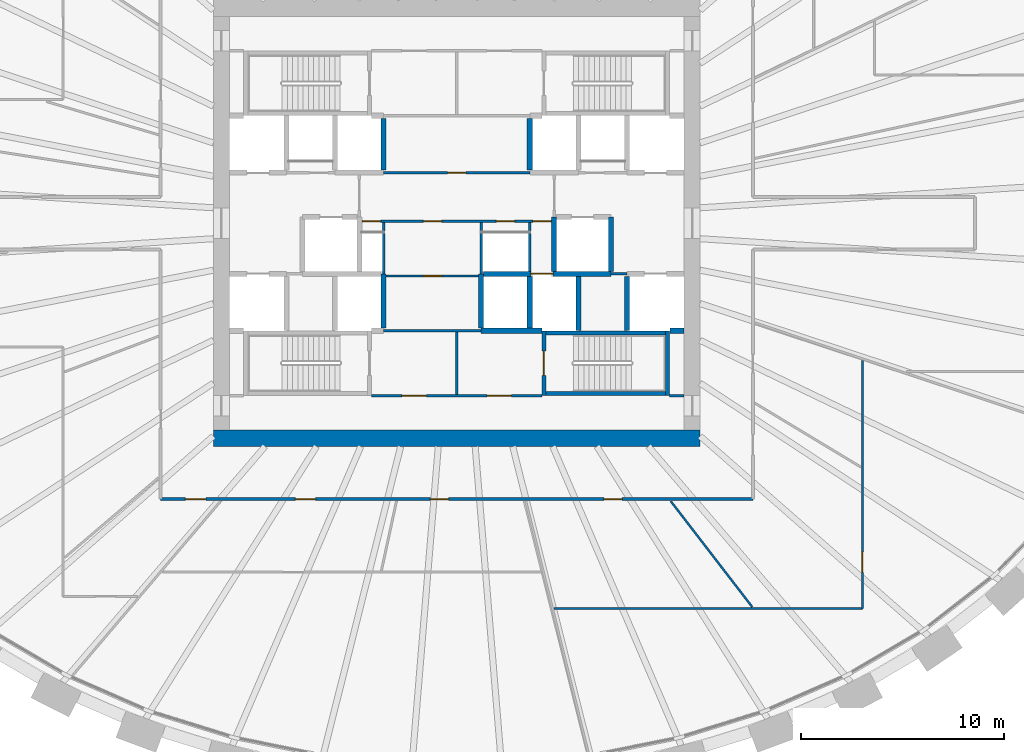
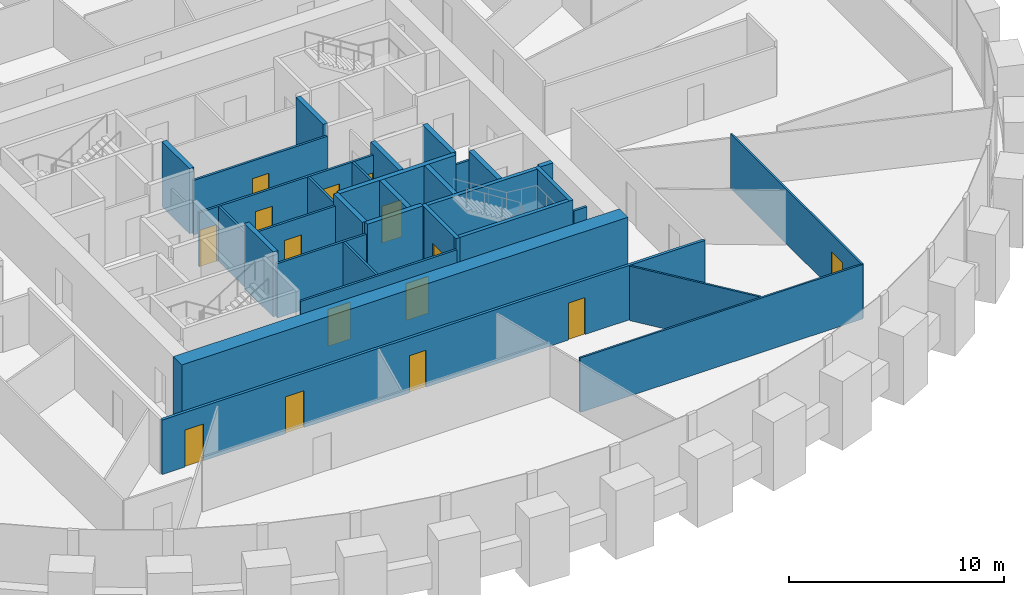
# One storey, part 7 of 11: 32 walls, 15 doors, 15 openings.
"""IFC4 building model written with IfcOpenShell, lengths in metres."""

import ifcopenshell
import ifcopenshell.guid

model = None  # the IFC model being written
_history = None  # IfcOwnerHistory: only IFC2X3 demands one
_inside = {}  # id of a spatial element -> (the spatial element, [elements in it])
_under = {}  # id of a project, library or spatial element -> (it, [spatial elements below it])
_declared = {}  # id of a project -> (the project, [libraries it declares])
_typed = {}  # id of a type object -> (the type object, [elements of that type])
_made_of = {}  # id of a material, layer set ... -> (it, [elements and type objects made of it])


def new_model(schema):
    """Start an empty IFC model of exactly this schema.

    Asked for "IFC4X3", IfcOpenShell would pick the latest addendum, in which some entities
    have other attributes; the version numbers below select the first issue.
    IFC2X3 requires an IfcOwnerHistory on every rooted entity: one is made here for all.
    """
    global model, _history
    if schema == "IFC4X3":
        model = ifcopenshell.file(schema_version=(4, 3, 0, 0))
    else:
        model = ifcopenshell.file(schema=schema)
    _inside.clear()
    _under.clear()
    _declared.clear()
    _typed.clear()
    _made_of.clear()
    _history = None
    if model.schema == "IFC2X3":
        org = make("IfcOrganization", Name="unknown")
        user = make(
            "IfcPersonAndOrganization",
            ThePerson=make("IfcPerson", FamilyName="unknown"),
            TheOrganization=org,
        )
        app = make(
            "IfcApplication",
            ApplicationDeveloper=org,
            Version="unknown",
            ApplicationFullName="unknown",
            ApplicationIdentifier="unknown",
        )
        _history = make(
            "IfcOwnerHistory",
            OwningUser=user,
            OwningApplication=app,
            ChangeAction="ADDED",
            CreationDate=0,
        )
    return model


def make(cls, **values):
    """One entity of the class cls with the attributes given. An attribute that is None is left unset."""
    return model.create_entity(
        cls, **{name: value for name, value in values.items() if value is not None}
    )


def rooted(cls, **values):
    """An entity with a GlobalId (a new one), such as an element, a storey or a relation."""
    return make(cls, GlobalId=ifcopenshell.guid.new(), OwnerHistory=_history, **values)


def si_unit(unit_type, name, prefix=None):
    """IfcSIUnit, for example si_unit("LENGTHUNIT", "METRE", prefix="MILLI")."""
    return make("IfcSIUnit", UnitType=unit_type, Prefix=prefix, Name=name)


def assignment(units):
    """IfcUnitAssignment: the units of a project."""
    return None if units is None else make("IfcUnitAssignment", Units=units)


def point(xyz):
    """IfcCartesianPoint."""
    return None if xyz is None else make("IfcCartesianPoint", Coordinates=xyz)


def direction(xyz):
    """IfcDirection."""
    return None if xyz is None else make("IfcDirection", DirectionRatios=xyz)


def frame(location, z_axis=None, x_axis=None):
    """IfcAxis2Placement3D, a coordinate frame: its origin and axes. An axis left out is left unset."""
    return make(
        "IfcAxis2Placement3D",
        Location=point(location),
        Axis=direction(z_axis),
        RefDirection=direction(x_axis),
    )


def frame_2d(location, x_axis=None):
    """IfcAxis2Placement2D, a coordinate frame in the plane: its origin and x axis."""
    return make(
        "IfcAxis2Placement2D", Location=point(location), RefDirection=direction(x_axis)
    )


def origin():
    """The frame at (0, 0, 0) with its axes left unset."""
    return frame((0.0, 0.0, 0.0))


def place(relative_to, where):
    """IfcLocalPlacement: puts the frame where relative to a parent placement (None: the world)."""
    return make(
        "IfcLocalPlacement", PlacementRelTo=relative_to, RelativePlacement=where
    )


def context(
    kind, dimensions, precision=None, world=None, true_north=None, identifier=None
):
    """IfcGeometricRepresentationContext, for example the 3D "Model" context."""
    return make(
        "IfcGeometricRepresentationContext",
        ContextIdentifier=identifier,
        ContextType=kind,
        CoordinateSpaceDimension=dimensions,
        Precision=precision,
        WorldCoordinateSystem=world,
        TrueNorth=true_north,
    )


def subcontext(parent, identifier, kind, view, scale=None):
    """IfcGeometricRepresentationSubContext, for example "Body" below "Model"."""
    return make(
        "IfcGeometricRepresentationSubContext",
        ContextIdentifier=identifier,
        ContextType=kind,
        ParentContext=parent,
        TargetScale=scale,
        TargetView=view,
    )


def project(units=None, contexts=None):
    """IfcProject with its units and contexts."""
    return rooted(
        "IfcProject",
        Name="project",
        RepresentationContexts=contexts,
        UnitsInContext=assignment(units),
    )


def spatial(cls, under=None, at=None, **own):
    """A site, building, storey or space (cls), placed at a placement, below another one or the project."""
    s = rooted(cls, ObjectPlacement=at, **own)
    if under is not None:
        _under.setdefault(under.id(), (under, []))[1].append(s)
    return s


def profile(cls, at=None, kind="AREA", **sizes):
    """A parametric profile (cls). Its sizes go by their IFC names, for example OverallWidth=200.0."""
    return make(cls, ProfileType=kind, Position=at, **sizes)


def rectangle(**sizes):
    """IfcRectangleProfileDef."""
    return profile("IfcRectangleProfileDef", **sizes)


def extrude(swept, where, along, depth):
    """IfcExtrudedAreaSolid: the profile swept, set in the frame where, extruded along a direction by depth."""
    return make(
        "IfcExtrudedAreaSolid",
        SweptArea=swept,
        Position=where,
        ExtrudedDirection=direction(along),
        Depth=depth,
    )


def shape(context_of_items, identifier, shape_type, items):
    """IfcShapeRepresentation: the items that make up one representation, for example the "Body"."""
    return make(
        "IfcShapeRepresentation",
        ContextOfItems=context_of_items,
        RepresentationIdentifier=identifier,
        RepresentationType=shape_type,
        Items=items,
    )


def source(mapping_origin, context_of_items, identifier, shape_type, items):
    """IfcRepresentationMap: a shape defined once, which mapped items show again and again."""
    return make(
        "IfcRepresentationMap",
        MappingOrigin=mapping_origin,
        MappedRepresentation=shape(context_of_items, identifier, shape_type, items),
    )


def transform(
    local_origin,
    x_axis=None,
    y_axis=None,
    z_axis=None,
    scale=None,
    scale2=None,
    scale3=None,
    uniform=True,
):
    """IfcCartesianTransformationOperator3D, or its non-uniform kind. x_axis, y_axis, z_axis: its Axis1, 2, 3."""
    if uniform:
        return make(
            "IfcCartesianTransformationOperator3D",
            Axis1=direction(x_axis),
            Axis2=direction(y_axis),
            LocalOrigin=point(local_origin),
            Scale=scale,
            Axis3=direction(z_axis),
        )
    return make(
        "IfcCartesianTransformationOperator3DnonUniform",
        Axis1=direction(x_axis),
        Axis2=direction(y_axis),
        LocalOrigin=point(local_origin),
        Scale=scale,
        Axis3=direction(z_axis),
        Scale2=scale2,
        Scale3=scale3,
    )


def mapped(mapping_source, mapping_target):
    """IfcMappedItem: shows the shape of a source again, moved by a transform."""
    return make(
        "IfcMappedItem", MappingSource=mapping_source, MappingTarget=mapping_target
    )


def material(Name=None, Category=None):
    """IfcMaterial."""
    return make("IfcMaterial", Name=Name, Category=Category)


def layer(
    of_material, thickness, ventilated=None, Name=None, Category=None, Priority=None
):
    """IfcMaterialLayer: one layer of a wall or slab, of a material (None: an air gap)."""
    return make(
        "IfcMaterialLayer",
        Material=of_material,
        LayerThickness=thickness,
        IsVentilated=ventilated,
        Name=Name,
        Category=Category,
        Priority=Priority,
    )


def layer_set(layers, Name=None):
    """IfcMaterialLayerSet."""
    return make("IfcMaterialLayerSet", MaterialLayers=layers, LayerSetName=Name)


def made_of(thing, what):
    """Note that an element or type object is made of a material, layer set ...; save() writes the relation."""
    if what is not None:
        _made_of.setdefault(what.id(), (what, []))[1].append(thing)
    return thing


def type_object(cls, material=None, **own):
    """A type object (cls), such as IfcWallType, which elements share."""
    return made_of(rooted(cls, **own), material)


def element(
    cls,
    number,
    at=None,
    inside=None,
    cuts=None,
    type_object=None,
    material=None,
    context=None,
    identifier="Body",
    shape_type=None,
    held_by="IfcProductDefinitionShape",
    body=None,
    shapes=None,
    **own,
):
    """One element of the class cls, such as IfcWall. Its Tag is "e" and its number.

    at: its placement. inside: the storey or other place that contains it. cuts: it is an
    opening in that element (IfcRelVoidsElement). A single representation is given by context,
    identifier, shape_type and body (its items); several are given by shapes. held_by: the class
    of the entity that holds the representations. save() writes the other relations.
    """
    e = rooted(cls, Tag="e%d" % number, ObjectPlacement=at, **own)
    if body is not None:
        shapes = [shape(context, identifier, shape_type, body)]
    if shapes is not None:
        e.Representation = make(held_by, Representations=shapes)
    if inside is not None:
        _inside.setdefault(inside.id(), (inside, []))[1].append(e)
    if cuts is not None:
        rooted(
            "IfcRelVoidsElement", RelatingBuildingElement=cuts, RelatedOpeningElement=e
        )
    if type_object is not None:
        _typed.setdefault(type_object.id(), (type_object, []))[1].append(e)
    return made_of(e, material)


def fill(opening, filler):
    """IfcRelFillsElement: the door or window that sits in an opening."""
    return rooted(
        "IfcRelFillsElement",
        RelatingOpeningElement=opening,
        RelatedBuildingElement=filler,
    )


def aggregate(whole, parts):
    """IfcRelAggregates: a whole, such as a stair, and the parts it consists of."""
    return rooted("IfcRelAggregates", RelatingObject=whole, RelatedObjects=parts)


def save(model, path):
    """Write the relations noted so far, then the file.

    IfcRelAggregates (storeys below a building ...), IfcRelContainedInSpatialStructure (elements
    in a storey), IfcRelDefinesByType, IfcRelAssociatesMaterial and IfcRelDeclares: one each for
    every whole, place, type object, material and project.
    """
    for whole, parts in _under.values():
        aggregate(whole, parts)
    for where, things in _inside.values():
        rooted(
            "IfcRelContainedInSpatialStructure",
            RelatedElements=things,
            RelatingStructure=where,
        )
    for kind, things in _typed.values():
        rooted("IfcRelDefinesByType", RelatedObjects=things, RelatingType=kind)
    for what, things in _made_of.values():
        rooted("IfcRelAssociatesMaterial", RelatedObjects=things, RelatingMaterial=what)
    for by, libraries in _declared.values():
        rooted("IfcRelDeclares", RelatingContext=by, RelatedDefinitions=libraries)
    model.write(path)


model = new_model("IFC4")

# Units and contexts
model_context = context("Model", 3, precision=1e-05, world=origin(), true_north=direction((0.0, 1.0)))
body_context = subcontext(model_context, "Body", "Model", "MODEL_VIEW")
ifc_project = project(units=[si_unit("LENGTHUNIT", "METRE"), si_unit("AREAUNIT", "SQUARE_METRE"), si_unit("VOLUMEUNIT", "CUBIC_METRE"), si_unit("PLANEANGLEUNIT", "RADIAN"), si_unit("MASSUNIT", "GRAM", prefix="KILO")], contexts=[model_context])

# Site, building, storey
site_placement = place(None, origin())
site = spatial("IfcSite", under=ifc_project, at=site_placement, CompositionType="ELEMENT")
building_placement = place(site_placement, origin())
building = spatial("IfcBuilding", under=site, at=building_placement, Name="Embergate Tower", CompositionType="ELEMENT")
storey_placement = place(building_placement, frame((0.0, 0.0, 203.39990234375)))
storey = spatial("IfcBuildingStorey", under=building, at=storey_placement, Name="L46", CompositionType="ELEMENT", Elevation=203.39990234375)

# Wall
ifc_material_1 = material(Name="Concrete C70", Category="concrete")
ifc_layer_1 = layer(ifc_material_1, 0.800048828125)
ifc_layer_set_1 = layer_set([ifc_layer_1], Name="Concrete C70")
wall_type_1 = type_object("IfcWallType", Name="Core outer wall C70 800", PredefinedType="SHEAR", material=ifc_layer_set_1)
shared_shape_1 = source(origin(), body_context, "Body", "SweptSolid", [
    extrude(rectangle(XDim=24.0, YDim=0.800048828125, at=frame_2d((12.0, 0.0))), origin(), (0.0, 0.0, 1.0), 3.900146484375),
])
wall_1_placement = place(storey_placement, frame((-12.0, -10.60009765625, -0.199951171875), z_axis=(0.0, 0.0, 1.0), x_axis=(1.0, 0.0, 0.0)))
element("IfcWall", 1, at=wall_1_placement, inside=storey, type_object=wall_type_1, Name="CW-L46-S", PredefinedType="SHEAR", context=body_context, shape_type="MappedRepresentation", body=[
    mapped(shared_shape_1, transform((0.0, 0.0, 0.0))),
])

# Wall, openings, doors
ifc_material_2 = material(Name="Core partition blockwork 120")
ifc_layer_2 = layer(ifc_material_2, 0.1201171875)
ifc_layer_set_2 = layer_set([ifc_layer_2], Name="Core partition blockwork 120")
wall_type_2 = type_object("IfcWallType", Name="Core partition blockwork 120", PredefinedType="PARTITIONING", material=ifc_layer_set_2)
shared_shape_2 = source(origin(), body_context, "Body", "SweptSolid", [
    extrude(rectangle(XDim=8.39990234375, YDim=0.1201171875, at=frame_2d((4.199951171875, 0.0))), origin(), (0.0, 0.0, 1.0), 3.10009765625),
])
wall_2_placement = place(storey_placement, frame((-4.199951171875, -8.5, 0.0), z_axis=(0.0, 0.0, 1.0), x_axis=(1.0, 0.0, 0.0)))
wall_2 = element("IfcWall", 2, at=wall_2_placement, inside=storey, type_object=wall_type_2, Name="IP-3 wall", PredefinedType="PARTITIONING", context=body_context, shape_type="MappedRepresentation", body=[
    mapped(shared_shape_2, transform((0.0, 0.0, 0.0))),
])
shared_shape_3 = source(origin(), body_context, "Body", "SweptSolid", [
    extrude(rectangle(XDim=1.199951171875, YDim=2.10009765625, at=frame_2d((0.60009765625, 1.050048828125))), frame((0.0, 0.070068359375, 0.0), z_axis=(0.0, -1.0, 0.0), x_axis=(1.0, 0.0, 0.0)), (0.0, 0.0, 1.0), 0.14013671875),
])
opening_1_placement = place(wall_2_placement, frame((1.5, 0.0, 0.0)))
opening_1 = element("IfcOpeningElement", 3, at=opening_1_placement, cuts=wall_2, Name="Opening IF-3f", PredefinedType="OPENING", context=body_context, shape_type="MappedRepresentation", body=[
    mapped(shared_shape_3, transform((0.0, 0.0, 0.0))),
])
opening_2_placement = place(wall_2_placement, frame((5.699951171875, 0.0, 0.0)))
opening_2 = element("IfcOpeningElement", 4, at=opening_2_placement, cuts=wall_2, Name="Opening IF-3f", PredefinedType="OPENING", context=body_context, shape_type="MappedRepresentation", body=[
    mapped(shared_shape_3, transform((0.0, 0.0, 0.0))),
])
ifc_material_3 = material(Name="Lobby fire door pair 1200")
door_type_1 = type_object("IfcDoorType", Name="Lobby fire door pair 1200", OperationType="DOUBLE_DOOR_SINGLE_SWING", PredefinedType="DOOR", material=ifc_material_3)
shared_shape_4 = source(origin(), body_context, "Body", "SweptSolid", [
    extrude(rectangle(XDim=1.199951171875, YDim=2.10009765625, at=frame_2d((0.60009765625, 1.050048828125))), frame((0.0, 0.02490234375, 0.0), z_axis=(0.0, -1.0, 0.0), x_axis=(1.0, 0.0, 0.0)), (0.0, 0.0, 1.0), 0.050048828125),
])
door_1_placement = place(opening_1_placement, origin())
door_1 = element("IfcDoor", 5, at=door_1_placement, inside=storey, type_object=door_type_1, Name="IF-3 door", OperationType="DOUBLE_DOOR_SINGLE_SWING", OverallHeight=2.10009765625, OverallWidth=1.199951171875, PredefinedType="DOOR", context=body_context, shape_type="MappedRepresentation", body=[
    mapped(shared_shape_4, transform((0.0, 0.0, 0.0))),
])
fill(opening_1, door_1)
door_2_placement = place(opening_2_placement, origin())
door_2 = element("IfcDoor", 6, at=door_2_placement, inside=storey, type_object=door_type_1, Name="IF-3 door", OperationType="DOUBLE_DOOR_SINGLE_SWING", OverallHeight=2.10009765625, OverallWidth=1.199951171875, PredefinedType="DOOR", context=body_context, shape_type="MappedRepresentation", body=[
    mapped(shared_shape_4, transform((0.0, 0.0, 0.0))),
])
fill(opening_2, door_2)

# Walls
ifc_material_4 = material(Name="Concrete C50", Category="concrete")
ifc_layer_3 = layer(ifc_material_4, 0.25)
ifc_layer_set_3 = layer_set([ifc_layer_3], Name="Concrete C50")
wall_type_3 = type_object("IfcWallType", Name="Hoistway wall reinforced concrete 250", PredefinedType="SHEAR", material=ifc_layer_set_3)
shared_shape_5 = source(origin(), body_context, "Body", "SweptSolid", [
    extrude(rectangle(XDim=2.675048828125, YDim=0.25, at=frame_2d((1.33740234375, 0.0))), origin(), (0.0, 0.0, 1.0), 3.7001953125),
])
for number, where, z_axis, x_axis, name in (
    (7, (-3.60009765625, -5.175048828125, 0.0), (0.0, 0.0, 1.0), (0.0, 1.0, 0.0), "HW-1 wall"),
    (8, (1.199951171875, -2.5, 0.0), (0.0, 0.0, 1.0), (0.0, -1.0, 0.0), "HW-1 wall"),
    (9, (4.800048828125, -2.375, 0.0), (0.0, 0.0, 1.0), (0.0, 1.0, 0.0), "HW-1 wall"),
    (10, (7.60009765625, -2.375, 0.0), (0.0, 0.0, 1.0), (0.0, 1.0, 0.0), "HW-1 wall"),
):
    element("IfcWall", number, at=place(storey_placement, frame(where, z_axis=z_axis, x_axis=x_axis)), inside=storey, type_object=wall_type_3, Name=name, PredefinedType="SHEAR", context=body_context, shape_type="MappedRepresentation", body=[
        mapped(shared_shape_5, transform((0.0, 0.0, 0.0))),
    ])
ifc_layer_4 = layer(ifc_material_4, 0.199951171875)
ifc_layer_set_4 = layer_set([ifc_layer_4], Name="Concrete C50")
wall_type_4 = type_object("IfcWallType", Name="Stair enclosure wall reinforced concrete 250", PredefinedType="SHEAR", material=ifc_layer_set_4)
shared_shape_6 = source(origin(), body_context, "Body", "SweptSolid", [
    extrude(rectangle(XDim=6.300048828125, YDim=0.199951171875, at=frame_2d((3.14990234375, 0.0))), origin(), (0.0, 0.0, 1.0), 3.7001953125),
])
for number, where, z_axis, x_axis, name in (
    (11, (4.199951171875, -5.39990234375, 0.0), (0.0, 0.0, 1.0), (1.0, 0.0, 0.0), "SE-1 wall"),
    (12, (4.199951171875, -8.39990234375, 0.0), (0.0, 0.0, 1.0), (1.0, 0.0, 0.0), "SE-1 wall"),
):
    element("IfcWall", number, at=place(storey_placement, frame(where, z_axis=z_axis, x_axis=x_axis)), inside=storey, type_object=wall_type_4, Name=name, PredefinedType="SHEAR", context=body_context, shape_type="MappedRepresentation", body=[
        mapped(shared_shape_6, transform((0.0, 0.0, 0.0))),
    ])
shared_shape_7 = source(origin(), body_context, "Body", "SweptSolid", [
    extrude(rectangle(XDim=2.550048828125, YDim=0.25, at=frame_2d((1.27490234375, 0.0))), origin(), (0.0, 0.0, 1.0), 3.7001953125),
])
for number, where, z_axis, x_axis, name in (
    (13, (-3.60009765625, 2.625, 0.0), (0.0, 0.0, 1.0), (0.0, 1.0, 0.0), "HW-1 wall"),
    (14, (3.60009765625, 5.175048828125, 0.0), (0.0, 0.0, 1.0), (0.0, -1.0, 0.0), "HW-1 wall"),
    (15, (3.60009765625, -5.175048828125, 0.0), (0.0, 0.0, 1.0), (0.0, 1.0, 0.0), "HW-1 wall"),
):
    element("IfcWall", number, at=place(storey_placement, frame(where, z_axis=z_axis, x_axis=x_axis)), inside=storey, type_object=wall_type_3, Name=name, PredefinedType="SHEAR", context=body_context, shape_type="MappedRepresentation", body=[
        mapped(shared_shape_7, transform((0.0, 0.0, 0.0))),
    ])

# Wall, opening, door
shared_shape_8 = source(origin(), body_context, "Body", "SweptSolid", [
    extrude(rectangle(XDim=3.199951171875, YDim=0.199951171875, at=frame_2d((1.60009765625, 0.0))), origin(), (0.0, 0.0, 1.0), 3.7001953125),
])
wall_3_placement = place(storey_placement, frame((4.300048828125, -5.300048828125, 0.0), z_axis=(0.0, 0.0, 1.0), x_axis=(0.0, -1.0, 0.0)))
wall_3 = element("IfcWall", 16, at=wall_3_placement, inside=storey, type_object=wall_type_4, Name="SE-1 wall", PredefinedType="SHEAR", context=body_context, shape_type="MappedRepresentation", body=[
    mapped(shared_shape_8, transform((0.0, 0.0, 0.0))),
])
shared_shape_9 = source(origin(), body_context, "Body", "SweptSolid", [
    extrude(rectangle(XDim=1.199951171875, YDim=2.10009765625, at=frame_2d((0.60009765625, 1.050048828125))), frame((0.0, 0.10986328125, 0.0), z_axis=(0.0, -1.0, 0.0), x_axis=(1.0, 0.0, 0.0)), (0.0, 0.0, 1.0), 0.219970703125),
])
opening_3_placement = place(wall_3_placement, frame((1.0, 0.0, 0.0)))
opening_3 = element("IfcOpeningElement", 17, at=opening_3_placement, cuts=wall_3, Name="Opening IF-2", PredefinedType="OPENING", context=body_context, shape_type="MappedRepresentation", body=[
    mapped(shared_shape_9, transform((0.0, 0.0, 0.0))),
])
ifc_material_5 = material(Name="Stair enclosure door 1200")
door_type_2 = type_object("IfcDoorType", Name="Stair enclosure door 1200", OperationType="SINGLE_SWING_LEFT", PredefinedType="DOOR", material=ifc_material_5)
door_3_placement = place(opening_3_placement, origin())
door_3 = element("IfcDoor", 18, at=door_3_placement, inside=storey, type_object=door_type_2, Name="IF-2 door", OperationType="SINGLE_SWING_RIGHT", OverallHeight=2.10009765625, OverallWidth=1.199951171875, PredefinedType="DOOR", context=body_context, shape_type="MappedRepresentation", body=[
    mapped(shared_shape_4, transform((0.0, 0.0, 0.0))),
])
fill(opening_3, door_3)

# Wall, openings, doors
shared_shape_10 = source(origin(), body_context, "Body", "SweptSolid", [
    extrude(rectangle(XDim=9.35009765625, YDim=0.1201171875, at=frame_2d((4.675048828125, 0.0))), origin(), (0.0, 0.0, 1.0), 3.10009765625),
])
wall_4_placement = place(storey_placement, frame((-4.675048828125, 0.10009765625, 0.0), z_axis=(0.0, 0.0, 1.0), x_axis=(1.0, 0.0, 0.0)))
wall_4 = element("IfcWall", 19, at=wall_4_placement, inside=storey, type_object=wall_type_2, Name="IP-3 wall", PredefinedType="PARTITIONING", context=body_context, shape_type="MappedRepresentation", body=[
    mapped(shared_shape_10, transform((0.0, 0.0, 0.0))),
])
shared_shape_11 = source(origin(), body_context, "Body", "SweptSolid", [
    extrude(rectangle(XDim=0.89990234375, YDim=2.10009765625, at=frame_2d((0.449951171875, 1.050048828125))), frame((0.0, 0.070068359375, 0.0), z_axis=(0.0, -1.0, 0.0), x_axis=(1.0, 0.0, 0.0)), (0.0, 0.0, 1.0), 0.14013671875),
])
opening_4_placement = place(wall_4_placement, frame((8.425048828125, 0.0, 0.0)))
opening_4 = element("IfcOpeningElement", 20, at=opening_4_placement, cuts=wall_4, Name="Opening IF-3c", PredefinedType="OPENING", context=body_context, shape_type="MappedRepresentation", body=[
    mapped(shared_shape_11, transform((0.0, 0.0, 0.0))),
])
opening_5_placement = place(wall_4_placement, frame((0.02490234375, 0.0, 0.0)))
opening_5 = element("IfcOpeningElement", 21, at=opening_5_placement, cuts=wall_4, Name="Opening ID-1", PredefinedType="OPENING", context=body_context, shape_type="MappedRepresentation", body=[
    mapped(shared_shape_11, transform((0.0, 0.0, 0.0))),
])
opening_6_placement = place(wall_4_placement, frame((6.625, 0.0, 0.0)))
opening_6 = element("IfcOpeningElement", 22, at=opening_6_placement, cuts=wall_4, Name="Opening ID-1", PredefinedType="OPENING", context=body_context, shape_type="MappedRepresentation", body=[
    mapped(shared_shape_11, transform((0.0, 0.0, 0.0))),
])
opening_7_placement = place(wall_4_placement, frame((3.02490234375, 0.0, 0.0)))
opening_7 = element("IfcOpeningElement", 23, at=opening_7_placement, cuts=wall_4, Name="Opening ID-1", PredefinedType="OPENING", context=body_context, shape_type="MappedRepresentation", body=[
    mapped(shared_shape_11, transform((0.0, 0.0, 0.0))),
])
ifc_material_6 = material(Name="Lobby fire door pair 900")
door_type_3 = type_object("IfcDoorType", Name="Lobby fire door pair 900", OperationType="DOUBLE_DOOR_SINGLE_SWING", PredefinedType="DOOR", material=ifc_material_6)
shared_shape_12 = source(origin(), body_context, "Body", "SweptSolid", [
    extrude(rectangle(XDim=0.89990234375, YDim=2.10009765625, at=frame_2d((0.449951171875, 1.050048828125))), frame((0.0, 0.02490234375, 0.0), z_axis=(0.0, -1.0, 0.0), x_axis=(1.0, 0.0, 0.0)), (0.0, 0.0, 1.0), 0.050048828125),
])
door_4_placement = place(opening_4_placement, origin())
door_4 = element("IfcDoor", 24, at=door_4_placement, inside=storey, type_object=door_type_3, Name="IF-3 door", OperationType="DOUBLE_DOOR_SINGLE_SWING", OverallHeight=2.10009765625, OverallWidth=0.89990234375, PredefinedType="DOOR", context=body_context, shape_type="MappedRepresentation", body=[
    mapped(shared_shape_12, transform((0.0, 0.0, 0.0))),
])
fill(opening_4, door_4)
ifc_material_7 = material(Name="Interior door 900")
door_type_4 = type_object("IfcDoorType", Name="Interior door 900", OperationType="SINGLE_SWING_LEFT", PredefinedType="DOOR", material=ifc_material_7)
door_5_placement = place(opening_5_placement, origin())
door_5 = element("IfcDoor", 25, at=door_5_placement, inside=storey, type_object=door_type_4, Name="ID-1 door", OperationType="SINGLE_SWING_RIGHT", OverallHeight=2.10009765625, OverallWidth=0.89990234375, PredefinedType="DOOR", context=body_context, shape_type="MappedRepresentation", body=[
    mapped(shared_shape_12, transform((0.0, 0.0, 0.0))),
])
fill(opening_5, door_5)
door_6_placement = place(opening_6_placement, origin())
door_6 = element("IfcDoor", 26, at=door_6_placement, inside=storey, type_object=door_type_4, Name="ID-1 door", OperationType="SINGLE_SWING_LEFT", OverallHeight=2.10009765625, OverallWidth=0.89990234375, PredefinedType="DOOR", context=body_context, shape_type="MappedRepresentation", body=[
    mapped(shared_shape_12, transform((0.0, 0.0, 0.0))),
])
fill(opening_6, door_6)
door_7_placement = place(opening_7_placement, origin())
door_7 = element("IfcDoor", 27, at=door_7_placement, inside=storey, type_object=door_type_4, Name="ID-1 door", OperationType="SINGLE_SWING_LEFT", OverallHeight=2.10009765625, OverallWidth=0.89990234375, PredefinedType="DOOR", context=body_context, shape_type="MappedRepresentation", body=[
    mapped(shared_shape_12, transform((0.0, 0.0, 0.0))),
])
fill(opening_7, door_7)

# Wall, opening, door
shared_shape_13 = source(origin(), body_context, "Body", "SweptSolid", [
    extrude(rectangle(XDim=7.2001953125, YDim=0.1201171875, at=frame_2d((3.60009765625, 0.0))), origin(), (0.0, 0.0, 1.0), 3.10009765625),
])
wall_5_placement = place(storey_placement, frame((3.60009765625, 2.5, 0.0), z_axis=(0.0, 0.0, 1.0), x_axis=(-1.0, 0.0, 0.0)))
wall_5 = element("IfcWall", 28, at=wall_5_placement, inside=storey, type_object=wall_type_2, Name="IP-3 wall", PredefinedType="PARTITIONING", context=body_context, shape_type="MappedRepresentation", body=[
    mapped(shared_shape_13, transform((0.0, 0.0, 0.0))),
])
opening_8_placement = place(wall_5_placement, frame((3.14990234375, 0.0, 0.0)))
opening_8 = element("IfcOpeningElement", 29, at=opening_8_placement, cuts=wall_5, Name="Opening ID-1", PredefinedType="OPENING", context=body_context, shape_type="MappedRepresentation", body=[
    mapped(shared_shape_11, transform((0.0, 0.0, 0.0))),
])
door_8_placement = place(opening_8_placement, origin())
door_8 = element("IfcDoor", 30, at=door_8_placement, inside=storey, type_object=door_type_4, Name="ID-1 door", OperationType="SINGLE_SWING_LEFT", OverallHeight=2.10009765625, OverallWidth=0.89990234375, PredefinedType="DOOR", context=body_context, shape_type="MappedRepresentation", body=[
    mapped(shared_shape_12, transform((0.0, 0.0, 0.0))),
])
fill(opening_8, door_8)

# Walls
shared_shape_14 = source(origin(), body_context, "Body", "SweptSolid", [
    extrude(rectangle(XDim=2.5400390625, YDim=0.1201171875, at=frame_2d((1.27001953125, 0.0))), origin(), (0.0, 0.0, 1.0), 3.10009765625),
])
for number, where, z_axis, x_axis, name in (
    (31, (-3.60009765625, -2.5, 0.0), (0.0, 0.0, 1.0), (0.0, 1.0, 0.0), "IP-3 wall"),
    (32, (1.199951171875, 0.0400390625, 0.0), (0.0, 0.0, 1.0), (0.0, -1.0, 0.0), "IP-3 wall"),
):
    element("IfcWall", number, at=place(storey_placement, frame(where, z_axis=z_axis, x_axis=x_axis)), inside=storey, type_object=wall_type_2, Name=name, PredefinedType="PARTITIONING", context=body_context, shape_type="MappedRepresentation", body=[
        mapped(shared_shape_14, transform((0.0, 0.0, 0.0))),
    ])
shared_shape_15 = source(origin(), body_context, "Body", "SweptSolid", [
    extrude(rectangle(XDim=2.4150390625, YDim=0.1201171875, at=frame_2d((1.20751953125, 0.0))), origin(), (0.0, 0.0, 1.0), 3.10009765625),
])
wall_6_placement = place(storey_placement, frame((3.60009765625, -2.375, 0.0), z_axis=(0.0, 0.0, 1.0), x_axis=(0.0, 1.0, 0.0)))
element("IfcWall", 33, at=wall_6_placement, inside=storey, type_object=wall_type_2, Name="IP-3 wall", PredefinedType="PARTITIONING", context=body_context, shape_type="MappedRepresentation", body=[
    mapped(shared_shape_15, transform((0.0, 0.0, 0.0))),
])
shared_shape_16 = source(origin(), body_context, "Body", "SweptSolid", [
    extrude(rectangle(XDim=3.079833984375, YDim=0.1201171875, at=frame_2d((1.5400390625, 0.0))), origin(), (0.0, 0.0, 1.0), 3.10009765625),
])
wall_7_placement = place(storey_placement, frame((0.0, -8.43994140625, 0.0), z_axis=(0.0, 0.0, 1.0), x_axis=(0.0, 1.0, 0.0)))
element("IfcWall", 34, at=wall_7_placement, inside=storey, type_object=wall_type_2, Name="IP-3 wall", PredefinedType="PARTITIONING", context=body_context, shape_type="MappedRepresentation", body=[
    mapped(shared_shape_16, transform((0.0, 0.0, 0.0))),
])
shared_shape_17 = source(origin(), body_context, "Body", "SweptSolid", [
    extrude(rectangle(XDim=4.800048828125, YDim=0.1201171875, at=frame_2d((2.39990234375, 0.0))), origin(), (0.0, 0.0, 1.0), 3.10009765625),
])
wall_8_placement = place(storey_placement, frame((1.199951171875, -5.300048828125, 0.0), z_axis=(0.0, 0.0, 1.0), x_axis=(-1.0, 0.0, 0.0)))
element("IfcWall", 35, at=wall_8_placement, inside=storey, type_object=wall_type_2, Name="IP-3 wall", PredefinedType="PARTITIONING", context=body_context, shape_type="MappedRepresentation", body=[
    mapped(shared_shape_17, transform((0.0, 0.0, 0.0))),
])

# Wall, opening, door
shared_shape_18 = source(origin(), body_context, "Body", "SweptSolid", [
    extrude(rectangle(XDim=4.550048828125, YDim=0.1201171875, at=frame_2d((2.27490234375, 0.0))), origin(), (0.0, 0.0, 1.0), 3.10009765625),
])
wall_9_placement = place(storey_placement, frame((1.074951171875, -2.60009765625, 0.0), z_axis=(0.0, 0.0, 1.0), x_axis=(-1.0, 0.0, 0.0)))
wall_9 = element("IfcWall", 36, at=wall_9_placement, inside=storey, type_object=wall_type_2, Name="IP-3 wall", PredefinedType="PARTITIONING", context=body_context, shape_type="MappedRepresentation", body=[
    mapped(shared_shape_18, transform((0.0, 0.0, 0.0))),
])
opening_9_placement = place(wall_9_placement, frame((1.824951171875, 0.0, 0.0)))
opening_9 = element("IfcOpeningElement", 37, at=opening_9_placement, cuts=wall_9, Name="Opening ID-1", PredefinedType="OPENING", context=body_context, shape_type="MappedRepresentation", body=[
    mapped(shared_shape_11, transform((0.0, 0.0, 0.0))),
])
door_9_placement = place(opening_9_placement, origin())
door_9 = element("IfcDoor", 38, at=door_9_placement, inside=storey, type_object=door_type_4, Name="ID-1 door", OperationType="SINGLE_SWING_LEFT", OverallHeight=2.10009765625, OverallWidth=0.89990234375, PredefinedType="DOOR", context=body_context, shape_type="MappedRepresentation", body=[
    mapped(shared_shape_12, transform((0.0, 0.0, 0.0))),
])
fill(opening_9, door_9)

# Walls
shared_shape_19 = source(origin(), body_context, "Body", "SweptSolid", [
    extrude(rectangle(XDim=0.7958984375, YDim=0.1201171875, at=frame_2d((0.39794921875, 0.0))), origin(), (0.0, 0.0, 1.0), 3.10009765625),
])
wall_10_placement = place(storey_placement, frame((7.60205078125, -2.5, 0.0), z_axis=(0.0, 0.0, 1.0), x_axis=(1.0, 0.0, 0.0)))
element("IfcWall", 39, at=wall_10_placement, inside=storey, type_object=wall_type_2, Name="IP-3 wall", PredefinedType="PARTITIONING", context=body_context, shape_type="MappedRepresentation", body=[
    mapped(shared_shape_19, transform((0.0, 0.0, 0.0))),
])
shared_shape_20 = source(origin(), body_context, "Body", "SweptSolid", [
    extrude(rectangle(XDim=0.697998046875, YDim=0.1201171875, at=frame_2d((0.34912109375, 0.0))), origin(), (0.0, 0.0, 1.0), 3.10009765625),
])
wall_11_placement = place(storey_placement, frame((11.199951171875, -8.5, 0.0), z_axis=(0.0, 0.0, 1.0), x_axis=(-1.0, 0.0, 0.0)))
element("IfcWall", 40, at=wall_11_placement, inside=storey, type_object=wall_type_2, Name="IP-3 wall", PredefinedType="PARTITIONING", context=body_context, shape_type="MappedRepresentation", body=[
    mapped(shared_shape_20, transform((0.0, 0.0, 0.0))),
])

# Wall, opening, door
shared_shape_21 = source(origin(), body_context, "Body", "SweptSolid", [
    extrude(rectangle(XDim=6.27294921875, YDim=0.25, at=frame_2d((3.136474609375, 0.0))), origin(), (0.0, 0.0, 1.0), 3.7001953125),
])
wall_12_placement = place(storey_placement, frame((7.597900390625, -2.5, 0.0), z_axis=(0.0, 0.0, 1.0), x_axis=(-1.0, 0.0, 0.0)))
wall_12 = element("IfcWall", 41, at=wall_12_placement, inside=storey, type_object=wall_type_3, Name="HW-1 wall", PredefinedType="SHEAR", context=body_context, shape_type="MappedRepresentation", body=[
    mapped(shared_shape_21, transform((0.0, 0.0, 0.0))),
])
shared_shape_22 = source(origin(), body_context, "Body", "SweptSolid", [
    extrude(rectangle(XDim=1.10009765625, YDim=2.10009765625, at=frame_2d((0.550048828125, 1.050048828125))), frame((0.0, 0.135009765625, 0.0), z_axis=(0.0, -1.0, 0.0), x_axis=(1.0, 0.0, 0.0)), (0.0, 0.0, 1.0), 0.27001953125),
])
opening_10_placement = place(wall_12_placement, frame((2.847900390625, 0.0, 0.0)))
opening_10 = element("IfcOpeningElement", 42, at=opening_10_placement, cuts=wall_12, Name="Opening LD", PredefinedType="OPENING", context=body_context, shape_type="MappedRepresentation", body=[
    mapped(shared_shape_22, transform((0.0, 0.0, 0.0))),
])
ifc_material_8 = material(Name="Landing door sliding 1100")
door_type_5 = type_object("IfcDoorType", Name="Landing door sliding 1100", OperationType="SLIDING_TO_LEFT", PredefinedType="DOOR", material=ifc_material_8)
shared_shape_23 = source(origin(), body_context, "Body", "SweptSolid", [
    extrude(rectangle(XDim=1.10009765625, YDim=2.10009765625, at=frame_2d((0.550048828125, 1.050048828125))), frame((0.0, 0.02490234375, 0.0), z_axis=(0.0, -1.0, 0.0), x_axis=(1.0, 0.0, 0.0)), (0.0, 0.0, 1.0), 0.050048828125),
])
door_10_placement = place(opening_10_placement, origin())
door_10 = element("IfcDoor", 43, at=door_10_placement, inside=storey, type_object=door_type_5, Name="LD door", OperationType="SLIDING_TO_LEFT", OverallHeight=2.10009765625, OverallWidth=1.10009765625, PredefinedType="DOOR", context=body_context, shape_type="MappedRepresentation", body=[
    mapped(shared_shape_23, transform((0.0, 0.0, 0.0))),
])
fill(opening_10, door_10)

# Walls
shared_shape_24 = source(origin(), body_context, "Body", "SweptSolid", [
    extrude(rectangle(XDim=3.0, YDim=0.25, at=frame_2d((1.5, 0.0))), origin(), (0.0, 0.0, 1.0), 3.7001953125),
])
wall_13_placement = place(storey_placement, frame((1.199951171875, -5.300048828125, 0.0), z_axis=(0.0, 0.0, 1.0), x_axis=(1.0, 0.0, 0.0)))
element("IfcWall", 44, at=wall_13_placement, inside=storey, type_object=wall_type_3, Name="HW-1 wall", PredefinedType="SHEAR", context=body_context, shape_type="MappedRepresentation", body=[
    mapped(shared_shape_24, transform((0.0, 0.0, 0.0))),
])
shared_shape_25 = source(origin(), body_context, "Body", "SweptSolid", [
    extrude(rectangle(XDim=3.196044921875, YDim=0.199951171875, at=frame_2d((1.59814453125, 0.0))), origin(), (0.0, 0.0, 1.0), 3.7001953125),
])
wall_14_placement = place(storey_placement, frame((10.39990234375, -8.498046875, 0.0), z_axis=(0.0, 0.0, 1.0), x_axis=(0.0, 1.0, 0.0)))
element("IfcWall", 45, at=wall_14_placement, inside=storey, type_object=wall_type_4, Name="SE-1 wall", PredefinedType="SHEAR", context=body_context, shape_type="MappedRepresentation", body=[
    mapped(shared_shape_25, transform((0.0, 0.0, 0.0))),
])
shared_shape_26 = source(origin(), body_context, "Body", "SweptSolid", [
    extrude(rectangle(XDim=0.697998046875, YDim=0.25, at=frame_2d((0.34912109375, 0.0))), origin(), (0.0, 0.0, 1.0), 3.7001953125),
])
wall_15_placement = place(storey_placement, frame((10.501953125, -5.300048828125, 0.0), z_axis=(0.0, 0.0, 1.0), x_axis=(1.0, 0.0, 0.0)))
element("IfcWall", 46, at=wall_15_placement, inside=storey, type_object=wall_type_3, Name="HW-1 wall", PredefinedType="SHEAR", context=body_context, shape_type="MappedRepresentation", body=[
    mapped(shared_shape_26, transform((0.0, 0.0, 0.0))),
])
shared_shape_27 = source(origin(), body_context, "Body", "SweptSolid", [
    extrude(rectangle(XDim=2.671142578125, YDim=0.25, at=frame_2d((1.33544921875, 0.0))), origin(), (0.0, 0.0, 1.0), 3.7001953125),
])
for number, where, z_axis, x_axis, name in (
    (47, (6.0, -5.298095703125, 0.0), (0.0, 0.0, 1.0), (0.0, 1.0, 0.0), "HW-1 wall"),
    (48, (8.39990234375, -2.626953125, 0.0), (0.0, 0.0, 1.0), (0.0, -1.0, 0.0), "HW-1 wall"),
):
    element("IfcWall", number, at=place(storey_placement, frame(where, z_axis=z_axis, x_axis=x_axis)), inside=storey, type_object=wall_type_3, Name=name, PredefinedType="SHEAR", context=body_context, shape_type="MappedRepresentation", body=[
        mapped(shared_shape_27, transform((0.0, 0.0, 0.0))),
    ])

# Wall, openings, doors
ifc_material_9 = material(Name="Corridor wall dry-lined 150")
ifc_layer_5 = layer(ifc_material_9, 0.14990234375)
ifc_layer_set_5 = layer_set([ifc_layer_5], Name="Corridor wall dry-lined 150")
wall_type_5 = type_object("IfcWallType", Name="Corridor wall dry-lined 150", PredefinedType="PARTITIONING", material=ifc_layer_set_5)
shared_shape_28 = source(origin(), body_context, "Body", "SweptSolid", [
    extrude(rectangle(XDim=29.2001953125, YDim=0.14990234375, at=frame_2d((14.60009765625, 0.0))), origin(), (0.0, 0.0, 1.0), 3.10009765625),
])
wall_16_placement = place(storey_placement, frame((14.60009765625, -13.60009765625, 0.0), z_axis=(0.0, 0.0, 1.0), x_axis=(-1.0, 0.0, 0.0)))
wall_16 = element("IfcWall", 49, at=wall_16_placement, inside=storey, type_object=wall_type_5, Name="IP-2 wall", PredefinedType="PARTITIONING", context=body_context, shape_type="MappedRepresentation", body=[
    mapped(shared_shape_28, transform((0.0, 0.0, 0.0))),
])
shared_shape_29 = source(origin(), body_context, "Body", "SweptSolid", [
    extrude(rectangle(XDim=1.0, YDim=2.10009765625, at=frame_2d((0.5, 1.050048828125))), frame((0.0, 0.0849609375, 0.0), z_axis=(0.0, -1.0, 0.0), x_axis=(1.0, 0.0, 0.0)), (0.0, 0.0, 1.0), 0.169921875),
])
opening_11_placement = place(wall_16_placement, frame((26.972900390625, 0.0, 0.0)))
opening_11 = element("IfcOpeningElement", 50, at=opening_11_placement, cuts=wall_16, Name="Opening ID-2", PredefinedType="OPENING", context=body_context, shape_type="MappedRepresentation", body=[
    mapped(shared_shape_29, transform((0.0, 0.0, 0.0))),
])
opening_12_placement = place(wall_16_placement, frame((21.56005859375, 0.0, 0.0)))
opening_12 = element("IfcOpeningElement", 51, at=opening_12_placement, cuts=wall_16, Name="Opening ID-2", PredefinedType="OPENING", context=body_context, shape_type="MappedRepresentation", body=[
    mapped(shared_shape_29, transform((0.0, 0.0, 0.0))),
])
shared_shape_30 = source(origin(), body_context, "Body", "SweptSolid", [
    extrude(rectangle(XDim=0.89990234375, YDim=2.10009765625, at=frame_2d((0.449951171875, 1.050048828125))), frame((0.0, 0.0849609375, 0.0), z_axis=(0.0, -1.0, 0.0), x_axis=(1.0, 0.0, 0.0)), (0.0, 0.0, 1.0), 0.169921875),
])
opening_13_placement = place(wall_16_placement, frame((14.9970703125, 0.0, 0.0)))
opening_13 = element("IfcOpeningElement", 52, at=opening_13_placement, cuts=wall_16, Name="Opening IF-1c", PredefinedType="OPENING", context=body_context, shape_type="MappedRepresentation", body=[
    mapped(shared_shape_30, transform((0.0, 0.0, 0.0))),
])
opening_14_placement = place(wall_16_placement, frame((6.44091796875, 0.0, 0.0)))
opening_14 = element("IfcOpeningElement", 53, at=opening_14_placement, cuts=wall_16, Name="Opening IF-1c", PredefinedType="OPENING", context=body_context, shape_type="MappedRepresentation", body=[
    mapped(shared_shape_30, transform((0.0, 0.0, 0.0))),
])
ifc_material_10 = material(Name="Escape fire door 900")
door_type_6 = type_object("IfcDoorType", Name="Escape fire door 900", OperationType="SINGLE_SWING_LEFT", PredefinedType="DOOR", material=ifc_material_10)
door_11_placement = place(opening_13_placement, origin())
door_11 = element("IfcDoor", 54, at=door_11_placement, inside=storey, type_object=door_type_6, Name="IF-1 door", OperationType="SINGLE_SWING_LEFT", OverallHeight=2.10009765625, OverallWidth=0.89990234375, PredefinedType="DOOR", context=body_context, shape_type="MappedRepresentation", body=[
    mapped(shared_shape_12, transform((0.0, 0.0, 0.0))),
])
fill(opening_13, door_11)
door_12_placement = place(opening_14_placement, origin())
door_12 = element("IfcDoor", 55, at=door_12_placement, inside=storey, type_object=door_type_6, Name="IF-1 door", OperationType="SINGLE_SWING_RIGHT", OverallHeight=2.10009765625, OverallWidth=0.89990234375, PredefinedType="DOOR", context=body_context, shape_type="MappedRepresentation", body=[
    mapped(shared_shape_12, transform((0.0, 0.0, 0.0))),
])
fill(opening_14, door_12)
ifc_material_11 = material(Name="Interior door 1000")
door_type_7 = type_object("IfcDoorType", Name="Interior door 1000", OperationType="SINGLE_SWING_LEFT", PredefinedType="DOOR", material=ifc_material_11)
shared_shape_31 = source(origin(), body_context, "Body", "SweptSolid", [
    extrude(rectangle(XDim=1.0, YDim=2.10009765625, at=frame_2d((0.5, 1.050048828125))), frame((0.0, 0.02490234375, 0.0), z_axis=(0.0, -1.0, 0.0), x_axis=(1.0, 0.0, 0.0)), (0.0, 0.0, 1.0), 0.050048828125),
])
door_13_placement = place(opening_11_placement, origin())
door_13 = element("IfcDoor", 56, at=door_13_placement, inside=storey, type_object=door_type_7, Name="ID-2 door", OperationType="SINGLE_SWING_LEFT", OverallHeight=2.10009765625, OverallWidth=1.0, PredefinedType="DOOR", context=body_context, shape_type="MappedRepresentation", body=[
    mapped(shared_shape_31, transform((0.0, 0.0, 0.0))),
])
fill(opening_11, door_13)
door_14_placement = place(opening_12_placement, origin())
door_14 = element("IfcDoor", 57, at=door_14_placement, inside=storey, type_object=door_type_7, Name="ID-2 door", OperationType="SINGLE_SWING_LEFT", OverallHeight=2.10009765625, OverallWidth=1.0, PredefinedType="DOOR", context=body_context, shape_type="MappedRepresentation", body=[
    mapped(shared_shape_31, transform((0.0, 0.0, 0.0))),
])
fill(opening_12, door_14)

# Walls
ifc_material_12 = material(Name="Partition dry-lined 100")
ifc_layer_6 = layer(ifc_material_12, 0.10009765625)
ifc_layer_set_6 = layer_set([ifc_layer_6], Name="Partition dry-lined 100")
wall_type_6 = type_object("IfcWallType", Name="Partition dry-lined 100", PredefinedType="PARTITIONING", material=ifc_layer_set_6)
shared_shape_32 = source(origin(), body_context, "Body", "SweptSolid", [
    extrude(rectangle(XDim=6.579833984375, YDim=0.10009765625, at=frame_2d((3.2900390625, 0.0))), origin(), (0.0, 0.0, 1.0), 3.10009765625),
])
wall_17_placement = place(storey_placement, frame((10.554931640625, -13.7060546875, 0.0), z_axis=(0.0, 0.0, 1.0), x_axis=(0.610209127783, -0.792240380422, 0.0)))
element("IfcWall", 58, at=wall_17_placement, inside=storey, type_object=wall_type_6, Name="IP-1 wall", PredefinedType="PARTITIONING", context=body_context, shape_type="MappedRepresentation", body=[
    mapped(shared_shape_32, transform((0.0, 0.0, 0.0))),
])
shared_shape_33 = source(origin(), body_context, "Body", "SweptSolid", [
    extrude(rectangle(XDim=15.216064453125, YDim=0.10009765625, at=frame_2d((7.60791015625, 0.0))), origin(), (0.0, 0.0, 1.0), 3.10009765625),
])
wall_18_placement = place(storey_placement, frame((20.0, -19.0, 0.0), z_axis=(0.0, 0.0, 1.0), x_axis=(-1.0, 0.0, 0.0)))
element("IfcWall", 59, at=wall_18_placement, inside=storey, type_object=wall_type_6, Name="IP-1 wall", PredefinedType="PARTITIONING", context=body_context, shape_type="MappedRepresentation", body=[
    mapped(shared_shape_33, transform((0.0, 0.0, 0.0))),
])

# Wall, opening, door
shared_shape_34 = source(origin(), body_context, "Body", "SweptSolid", [
    extrude(rectangle(XDim=12.23095703125, YDim=0.10009765625, at=frame_2d((6.115478515625, 0.0))), origin(), (0.0, 0.0, 1.0), 3.10009765625),
])
wall_19_placement = place(storey_placement, frame((20.0, -6.76904296875, 0.0), z_axis=(0.0, 0.0, 1.0), x_axis=(0.0, -1.0, 0.0)))
wall_19 = element("IfcWall", 60, at=wall_19_placement, inside=storey, type_object=wall_type_6, Name="IP-1 wall", PredefinedType="PARTITIONING", context=body_context, shape_type="MappedRepresentation", body=[
    mapped(shared_shape_34, transform((0.0, 0.0, 0.0))),
])
shared_shape_35 = source(origin(), body_context, "Body", "SweptSolid", [
    extrude(rectangle(XDim=1.0, YDim=2.10009765625, at=frame_2d((0.5, 1.050048828125))), frame((0.0, 0.06005859375, 0.0), z_axis=(0.0, -1.0, 0.0), x_axis=(1.0, 0.0, 0.0)), (0.0, 0.0, 1.0), 0.1201171875),
])
opening_15_placement = place(wall_19_placement, frame((9.4365234375, 0.0, 0.0)))
opening_15 = element("IfcOpeningElement", 61, at=opening_15_placement, cuts=wall_19, Name="Opening ID-2", PredefinedType="OPENING", context=body_context, shape_type="MappedRepresentation", body=[
    mapped(shared_shape_35, transform((0.0, 0.0, 0.0))),
])
door_15_placement = place(opening_15_placement, origin())
door_15 = element("IfcDoor", 62, at=door_15_placement, inside=storey, type_object=door_type_7, Name="ID-2 door", OperationType="SINGLE_SWING_LEFT", OverallHeight=2.10009765625, OverallWidth=1.0, PredefinedType="DOOR", context=body_context, shape_type="MappedRepresentation", body=[
    mapped(shared_shape_31, transform((0.0, 0.0, 0.0))),
])
fill(opening_15, door_15)

save(model, "model.ifc")
